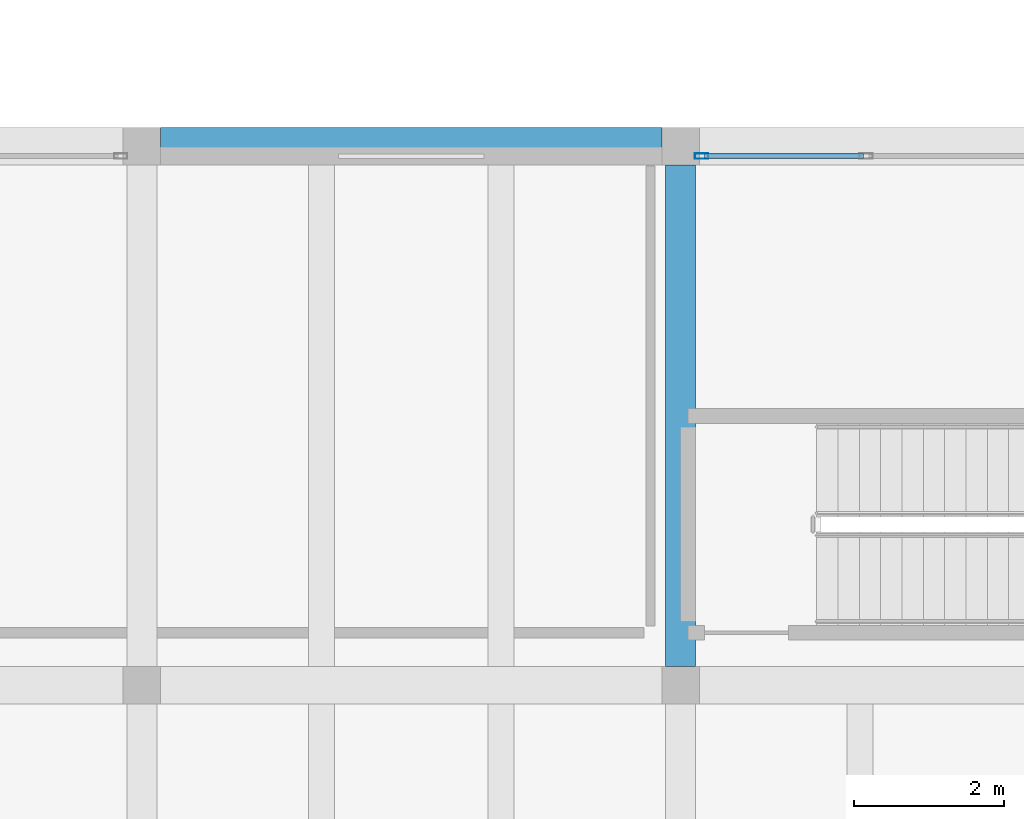
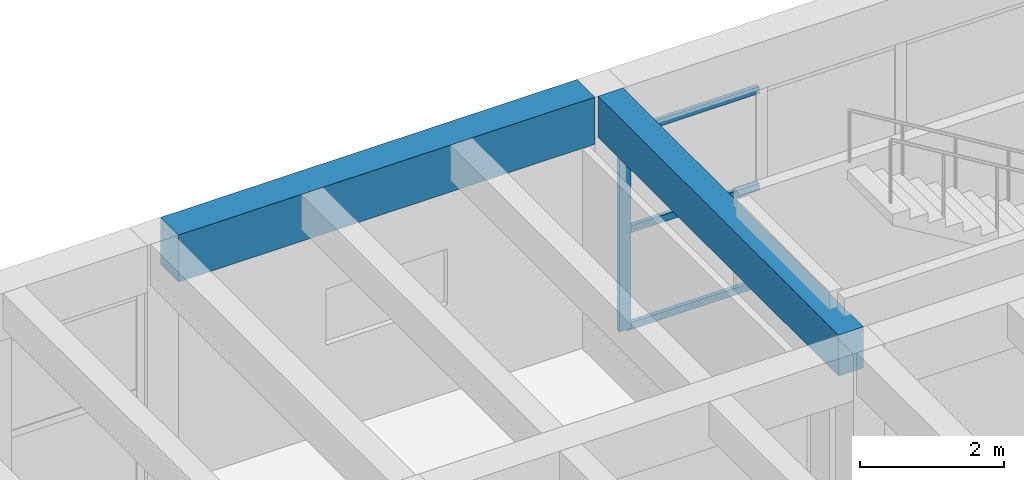
# One storey, part 112 of 153: 4 members, 2 beams, 1 element without a shape of its own.
"""IFC4 building model written with IfcOpenShell, lengths in metres."""

from ifc_helpers import new_model, si_unit, direction, frame, origin, origin_2d, place, context, subcontext, project, spatial, rectangle, hollow_rectangle, extrude, material, material_profile, profile_set, type_object, element, aggregate, save


model = new_model("IFC4")

# Units and contexts
model_context = context("Model", 3, precision=1e-05, world=origin(), true_north=direction((0.0, 1.0)))
body_context = subcontext(model_context, "Body", "Model", "MODEL_VIEW")
ifc_project = project(units=[si_unit("LENGTHUNIT", "METRE"), si_unit("AREAUNIT", "SQUARE_METRE"), si_unit("VOLUMEUNIT", "CUBIC_METRE"), si_unit("PLANEANGLEUNIT", "RADIAN"), si_unit("MASSUNIT", "GRAM", prefix="KILO")], contexts=[model_context])

# Site, building, storey
site_placement = place(None, origin())
site = spatial("IfcSite", under=ifc_project, at=site_placement, CompositionType="ELEMENT")
building_placement = place(site_placement, origin())
building = spatial("IfcBuilding", under=site, at=building_placement, Name="Bramvelor Terrace Health Centre", CompositionType="ELEMENT")
storey_placement = place(building_placement, frame((0.0, 0.0, 4.800048828125)))
storey = spatial("IfcBuildingStorey", under=building, at=storey_placement, Name="L02", CompositionType="ELEMENT", Elevation=4.800048828125)

# Beams
ifc_material_1 = material(Name="Concrete C40/50", Category="concrete")
ifc_material_profile_1 = material_profile(ifc_material_1, rectangle(XDim=0.39990234375, YDim=0.699951171875, at=origin_2d()), Name="RC 400x700")
ifc_profile_set_1 = profile_set([ifc_material_profile_1], Name="Concrete C40/50")
beam_type_1 = type_object("IfcBeamType", Name="BM-RC-G700", PredefinedType="BEAM", material=ifc_profile_set_1)
beam_1_placement = place(storey_placement, frame((158.39990234375, 57.85009765625, 3.849853515625), z_axis=(0.0, 1.0, 0.0), x_axis=(-1.0, 0.0, 0.0)))
element("IfcBeam", 1, at=beam_1_placement, inside=storey, type_object=beam_type_1, Name="L02 Floor Girder", PredefinedType="BEAM", context=body_context, shape_type="SweptSolid", body=[
    extrude(rectangle(XDim=0.39990234375, YDim=0.699951171875, at=origin_2d()), origin(), (0.0, 0.0, 1.0), 6.699951171875),
])
ifc_material_2 = material(Name="Concrete C40/50", Category="concrete")
ifc_material_profile_2 = material_profile(ifc_material_2, rectangle(XDim=0.5, YDim=0.800048828125, at=origin_2d()), Name="RC 500x800")
ifc_profile_set_2 = profile_set([ifc_material_profile_2], Name="Concrete C40/50")
beam_type_2 = type_object("IfcBeamType", Name="BM-RC-G800", PredefinedType="BEAM", material=ifc_profile_set_2)
beam_2_placement = place(storey_placement, frame((151.449951171875, 64.800048828125, 3.800048828125), z_axis=(1.0, 0.0, 0.0), x_axis=(0.0, 1.0, 0.0)))
element("IfcBeam", 2, at=beam_2_placement, inside=storey, type_object=beam_type_2, Name="L02 Floor Girder", PredefinedType="BEAM", context=body_context, shape_type="SweptSolid", body=[
    extrude(rectangle(XDim=0.5, YDim=0.800048828125, at=origin_2d()), origin(), (0.0, 0.0, 1.0), 6.699951171875),
])

# Curtain wall, members
ifc_material_3 = material(Name="Anodized aluminium and double low-E glass", Category="aluminium")
curtain_wall_type = type_object("IfcCurtainWallType", Name="CW-SYS-16", PredefinedType="NOTDEFINED", material=ifc_material_3)
curtain_wall_placement = place(storey_placement, origin())
curtain_wall = element("IfcCurtainWall", 3, at=curtain_wall_placement, inside=storey, type_object=curtain_wall_type, Name="L02 Unitized Curtain Wall 105", PredefinedType="NOTDEFINED")
ifc_material_4 = material(Name="Anodized aluminium 6063-T6", Category="aluminium")
ifc_material_profile_3 = material_profile(ifc_material_4, hollow_rectangle(XDim=0.074951171875, YDim=0.179931640625, WallThickness=0.00341796875, at=origin_2d()), Name="ALU-MUL 75x180x3.5")
ifc_profile_set_3 = profile_set([ifc_material_profile_3], Name="Anodized aluminium 6063-T6")
member_type_1 = type_object("IfcMemberType", Name="CW-MUL-65x180", PredefinedType="MULLION", material=ifc_profile_set_3)
member_1_placement = place(storey_placement, frame((158.6826171875, 64.669921875, 0.0), z_axis=(0.0, 0.0, 1.0), x_axis=(0.0, 1.0, 0.0)))
member_1 = element("IfcMember", 4, at=member_1_placement, type_object=member_type_1, Name="CW-16 mullion 1", PredefinedType="MULLION", context=body_context, shape_type="SweptSolid", body=[
    extrude(hollow_rectangle(XDim=0.074951171875, YDim=0.179931640625, WallThickness=0.00341796875, at=origin_2d()), origin(), (0.0, 0.0, 1.0), 3.35986328125),
])
ifc_material_5 = material(Name="Anodized aluminium 6063-T6", Category="aluminium")
ifc_material_profile_4 = material_profile(ifc_material_5, hollow_rectangle(XDim=0.06494140625, YDim=0.1201171875, WallThickness=0.0029296875, at=origin_2d()), Name="ALU-TRN 65x120x3.0")
ifc_profile_set_4 = profile_set([ifc_material_profile_4], Name="Anodized aluminium 6063-T6")
member_type_2 = type_object("IfcMemberType", Name="CW-TRN-65x150", PredefinedType="USERDEFINED", material=ifc_profile_set_4)
member_2_placement = place(storey_placement, frame((158.719970703125, 64.669921875, 0.032470703125), z_axis=(1.0, 0.0, 0.0), x_axis=(0.0, 1.0, 0.0)))
member_2 = element("IfcMember", 5, at=member_2_placement, type_object=member_type_2, Name="CW-16 transom 1.1", ObjectType="TRANSOM", PredefinedType="USERDEFINED", context=body_context, shape_type="SweptSolid", body=[
    extrude(hollow_rectangle(XDim=0.06494140625, YDim=0.1201171875, WallThickness=0.0029296875, at=origin_2d()), origin(), (0.0, 0.0, 1.0), 2.124267578125),
])
member_3_placement = place(storey_placement, frame((158.719970703125, 64.669921875, 1.679931640625), z_axis=(1.0, 0.0, 0.0), x_axis=(0.0, 1.0, 0.0)))
member_3 = element("IfcMember", 6, at=member_3_placement, type_object=member_type_2, Name="CW-16 transom 1.2", ObjectType="TRANSOM", PredefinedType="USERDEFINED", context=body_context, shape_type="SweptSolid", body=[
    extrude(hollow_rectangle(XDim=0.06494140625, YDim=0.1201171875, WallThickness=0.0029296875, at=origin_2d()), origin(), (0.0, 0.0, 1.0), 2.124267578125),
])
member_4_placement = place(storey_placement, frame((158.719970703125, 64.669921875, 3.327392578125), z_axis=(1.0, 0.0, 0.0), x_axis=(0.0, 1.0, 0.0)))
member_4 = element("IfcMember", 7, at=member_4_placement, type_object=member_type_2, Name="CW-16 transom 1.3", ObjectType="TRANSOM", PredefinedType="USERDEFINED", context=body_context, shape_type="SweptSolid", body=[
    extrude(hollow_rectangle(XDim=0.06494140625, YDim=0.1201171875, WallThickness=0.0029296875, at=origin_2d()), origin(), (0.0, 0.0, 1.0), 2.124267578125),
])
aggregate(curtain_wall, [member_1, member_2, member_3, member_4])

save(model, "model.ifc")
